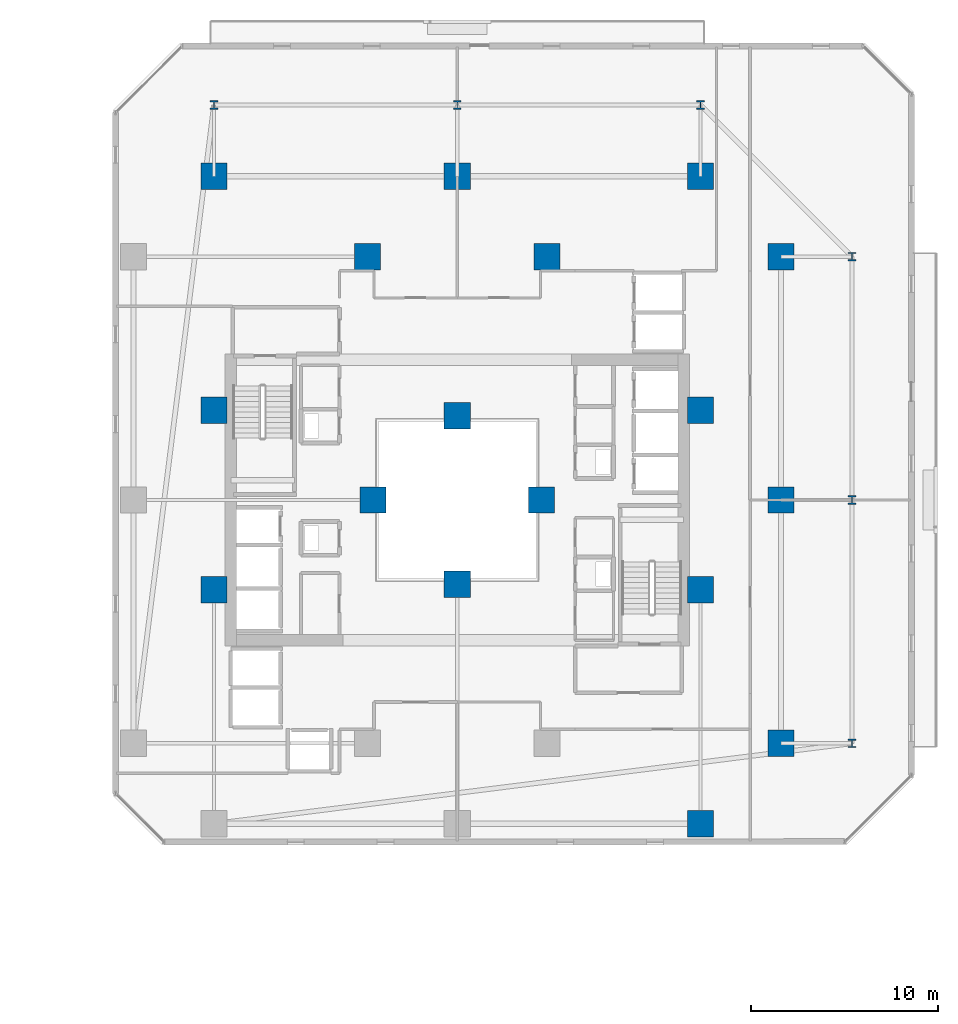
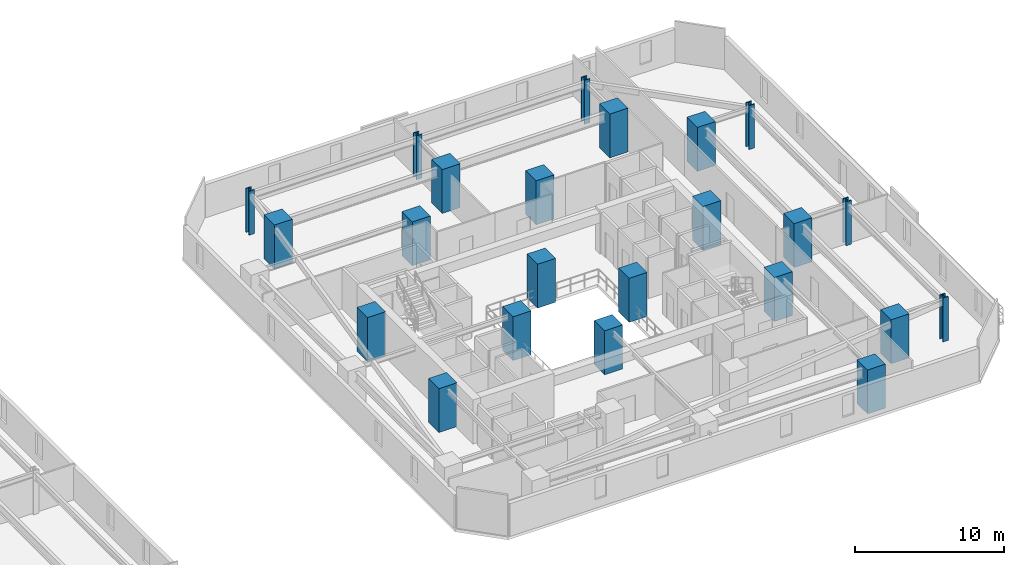
# One storey, part 2 of 34: 23 columns.
"""IFC4 building model written with IfcOpenShell, lengths in metres."""

from ifc_helpers import new_model, si_unit, direction, frame, origin, origin_2d, place, context, subcontext, project, spatial, rectangle, i_section, extrude, material, material_profile, profile_set, type_object, element, save


model = new_model("IFC4")

# Units and contexts
model_context = context("Model", 3, precision=1e-05, world=origin(), true_north=direction((0.0, 1.0)))
body_context = subcontext(model_context, "Body", "Model", "MODEL_VIEW")
ifc_project = project(units=[si_unit("LENGTHUNIT", "METRE"), si_unit("AREAUNIT", "SQUARE_METRE"), si_unit("VOLUMEUNIT", "CUBIC_METRE"), si_unit("PLANEANGLEUNIT", "RADIAN"), si_unit("MASSUNIT", "GRAM", prefix="KILO")], contexts=[model_context])

# Site, building, storey
site_placement = place(None, origin())
site = spatial("IfcSite", under=ifc_project, at=site_placement, CompositionType="ELEMENT")
building_placement = place(site_placement, origin())
building = spatial("IfcBuilding", under=site, at=building_placement, Name="Thornwick Lancets Civic Towers", CompositionType="ELEMENT")
storey_placement = place(building_placement, frame((0.0, 0.0, 57.300048828125)))
storey = spatial("IfcBuildingStorey", under=building, at=storey_placement, Name="L14", CompositionType="ELEMENT", Elevation=57.300048828125)

# Columns
ifc_material_1 = material(Name="Concrete C60/75", Category="concrete")
ifc_material_profile_1 = material_profile(ifc_material_1, rectangle(XDim=1.39990234375, YDim=1.39990234375, at=origin_2d()), Name="RC 1400x1400")
ifc_profile_set_1 = profile_set([ifc_material_profile_1], Name="Concrete C60/75")
column_type_1 = type_object("IfcColumnType", Name="COL_RC_1400", PredefinedType="COLUMN", material=ifc_profile_set_1)
for number, where, z_axis, x_axis, name in (
    (1, (105.800048828125, 14.0, 0.0), (0.0, 0.0, 1.0), (1.0, 0.0, 0.0), "L14 Spine Mega-Column B01"),
    (2, (105.800048828125, 27.0, 0.0), (0.0, 0.0, 1.0), (1.0, 0.0, 0.0), "L14 Spine Mega-Column B02"),
    (3, (105.800048828125, 40.0, 0.0), (0.0, 0.0, 1.0), (1.0, 0.0, 0.0), "L14 Spine Mega-Column B03"),
    (4, (101.5, 44.300048828125, 0.0), (0.0, 0.0, 1.0), (1.0, 0.0, 0.0), "L14 Spine Mega-Column B04"),
    (5, (88.5, 44.300048828125, 0.0), (0.0, 0.0, 1.0), (1.0, 0.0, 0.0), "L14 Spine Mega-Column B05"),
    (6, (75.5, 44.300048828125, 0.0), (0.0, 0.0, 1.0), (1.0, 0.0, 0.0), "L14 Spine Mega-Column B06"),
    (7, (101.5, 9.699951171875, 0.0), (0.0, 0.0, 1.0), (1.0, 0.0, 0.0), "L14 Spine Mega-Column B10"),
    (8, (93.300048828125, 40.0, 0.0), (0.0, 0.0, 1.0), (1.0, 0.0, 0.0), "L14 Spine Mega-Column B14"),
    (9, (83.699951171875, 40.0, 0.0), (0.0, 0.0, 1.0), (1.0, 0.0, 0.0), "L14 Spine Mega-Column B16"),
    (10, (101.5, 22.199951171875, 0.0), (0.0, 0.0, 1.0), (1.0, 0.0, 0.0), "L14 Spine Mega-Column B17"),
    (11, (101.5, 31.800048828125, 0.0), (0.0, 0.0, 1.0), (1.0, 0.0, 0.0), "L14 Spine Mega-Column B18"),
    (12, (75.5, 22.199951171875, 0.0), (0.0, 0.0, 1.0), (1.0, 0.0, 0.0), "L14 Spine Mega-Column B19"),
    (13, (75.5, 31.800048828125, 0.0), (0.0, 0.0, 1.0), (1.0, 0.0, 0.0), "L14 Spine Mega-Column B20"),
    (14, (93.0, 27.0, 0.0), (0.0, 0.0, 1.0), (1.0, 0.0, 0.0), "L14 Spine Mega-Column B21"),
    (15, (84.0, 27.0, 0.0), (0.0, 0.0, 1.0), (1.0, 0.0, 0.0), "L14 Spine Mega-Column B22"),
    (16, (88.5, 22.5, 0.0), (0.0, 0.0, 1.0), (1.0, 0.0, 0.0), "L14 Spine Mega-Column B23"),
    (17, (88.5, 31.5, 0.0), (0.0, 0.0, 1.0), (1.0, 0.0, 0.0), "L14 Spine Mega-Column B24"),
):
    element("IfcColumn", number, at=place(storey_placement, frame(where, z_axis=z_axis, x_axis=x_axis)), inside=storey, type_object=column_type_1, Name=name, PredefinedType="COLUMN", context=body_context, shape_type="SweptSolid", body=[
        extrude(rectangle(XDim=1.39990234375, YDim=1.39990234375, at=origin_2d()), origin(), (0.0, 0.0, 1.0), 3.599853515625),
    ])
ifc_material_2 = material(Name="Steel S460M", Category="steel")
ifc_material_profile_2 = material_profile(ifc_material_2, i_section(OverallWidth=0.424072265625, OverallDepth=0.474609375, WebThickness=0.047607421875, FlangeThickness=0.076904296875, FilletRadius=0.01513671875, at=origin_2d()), Name="UKC 356x406x634")
ifc_profile_set_2 = profile_set([ifc_material_profile_2], Name="Steel S460M")
column_type_2 = type_object("IfcColumnType", Name="COL_UKC_634", PredefinedType="COLUMN", material=ifc_profile_set_2)
for number, where, z_axis, x_axis, name in (
    (18, (109.60009765625, 14.0, 0.0), (0.0, 0.0, 1.0), (1.0, 0.0, 0.0), "L14 Block Perimeter Column B01"),
    (19, (109.60009765625, 27.0, 0.0), (0.0, 0.0, 1.0), (1.0, 0.0, 0.0), "L14 Block Perimeter Column B02"),
    (20, (109.60009765625, 40.0, 0.0), (0.0, 0.0, 1.0), (1.0, 0.0, 0.0), "L14 Block Perimeter Column B03"),
    (21, (101.5, 48.10009765625, 0.0), (0.0, 0.0, 1.0), (1.0, 0.0, 0.0), "L14 Block Perimeter Column B04"),
    (22, (88.5, 48.10009765625, 0.0), (0.0, 0.0, 1.0), (1.0, 0.0, 0.0), "L14 Block Perimeter Column B05"),
    (23, (75.5, 48.10009765625, 0.0), (0.0, 0.0, 1.0), (1.0, 0.0, 0.0), "L14 Block Perimeter Column B06"),
):
    element("IfcColumn", number, at=place(storey_placement, frame(where, z_axis=z_axis, x_axis=x_axis)), inside=storey, type_object=column_type_2, Name=name, PredefinedType="COLUMN", context=body_context, shape_type="SweptSolid", body=[
        extrude(i_section(OverallWidth=0.424072265625, OverallDepth=0.474609375, WebThickness=0.047607421875, FlangeThickness=0.076904296875, FilletRadius=0.01513671875, at=origin_2d()), origin(), (0.0, 0.0, 1.0), 3.599853515625),
    ])

save(model, "model.ifc")
